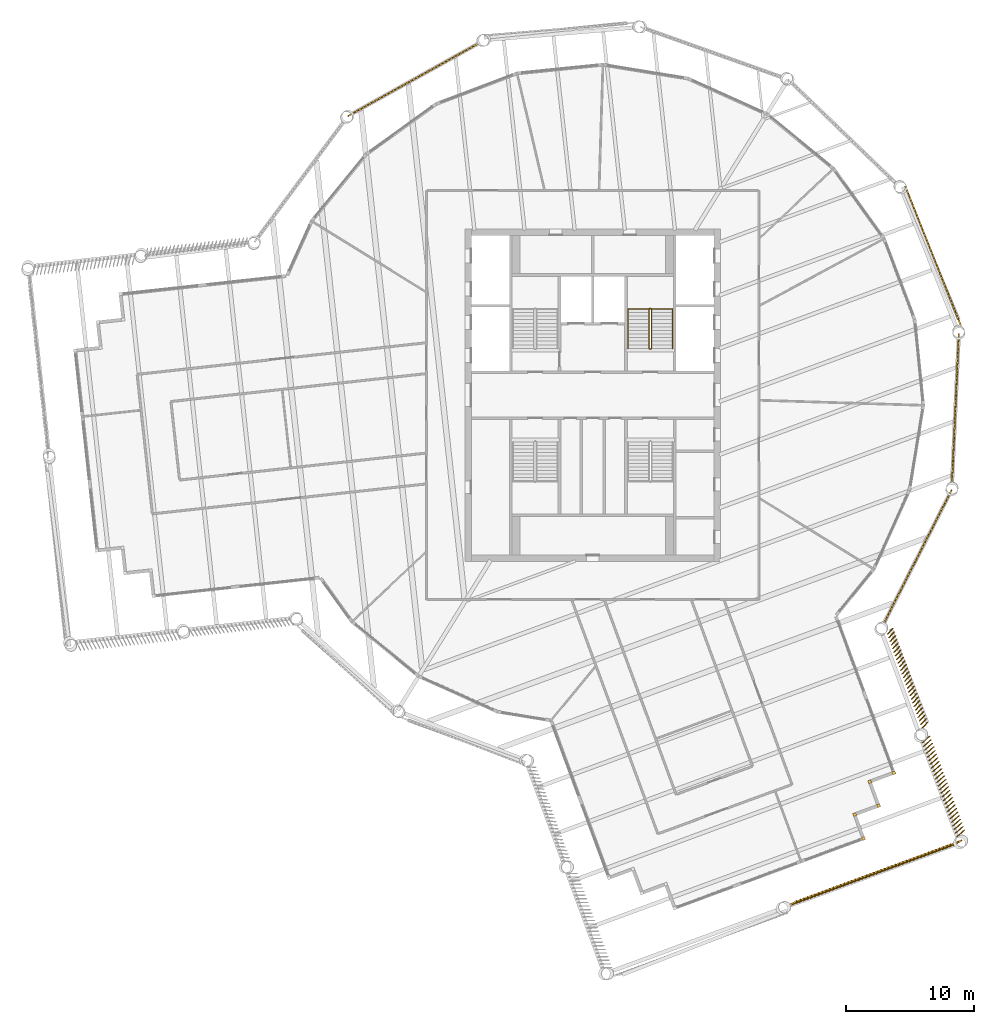
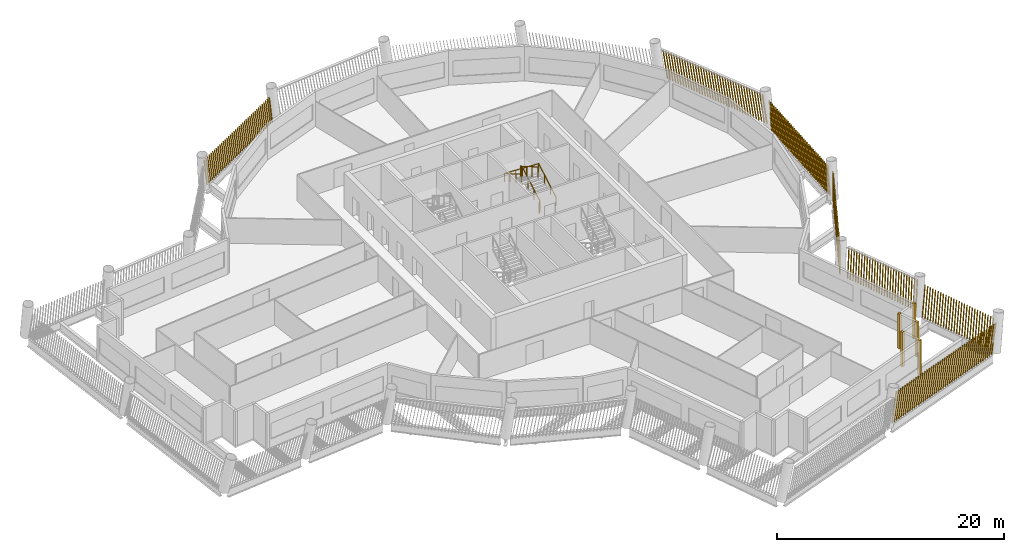
# One storey, part 12 of 14: 12 shading devices, 2 railings.
"""IFC4 building model written with IfcOpenShell, lengths in metres."""

import ifcopenshell
import ifcopenshell.guid

model = None  # the IFC model being written
_history = None  # IfcOwnerHistory: only IFC2X3 demands one
_inside = {}  # id of a spatial element -> (the spatial element, [elements in it])
_under = {}  # id of a project, library or spatial element -> (it, [spatial elements below it])
_declared = {}  # id of a project -> (the project, [libraries it declares])
_typed = {}  # id of a type object -> (the type object, [elements of that type])
_made_of = {}  # id of a material, layer set ... -> (it, [elements and type objects made of it])


def new_model(schema):
    """Start an empty IFC model of exactly this schema.

    Asked for "IFC4X3", IfcOpenShell would pick the latest addendum, in which some entities
    have other attributes; the version numbers below select the first issue.
    IFC2X3 requires an IfcOwnerHistory on every rooted entity: one is made here for all.
    """
    global model, _history
    if schema == "IFC4X3":
        model = ifcopenshell.file(schema_version=(4, 3, 0, 0))
    else:
        model = ifcopenshell.file(schema=schema)
    _inside.clear()
    _under.clear()
    _declared.clear()
    _typed.clear()
    _made_of.clear()
    _history = None
    if model.schema == "IFC2X3":
        org = make("IfcOrganization", Name="unknown")
        user = make(
            "IfcPersonAndOrganization",
            ThePerson=make("IfcPerson", FamilyName="unknown"),
            TheOrganization=org,
        )
        app = make(
            "IfcApplication",
            ApplicationDeveloper=org,
            Version="unknown",
            ApplicationFullName="unknown",
            ApplicationIdentifier="unknown",
        )
        _history = make(
            "IfcOwnerHistory",
            OwningUser=user,
            OwningApplication=app,
            ChangeAction="ADDED",
            CreationDate=0,
        )
    return model


def make(cls, **values):
    """One entity of the class cls with the attributes given. An attribute that is None is left unset."""
    return model.create_entity(
        cls, **{name: value for name, value in values.items() if value is not None}
    )


def rooted(cls, **values):
    """An entity with a GlobalId (a new one), such as an element, a storey or a relation."""
    return make(cls, GlobalId=ifcopenshell.guid.new(), OwnerHistory=_history, **values)


def si_unit(unit_type, name, prefix=None):
    """IfcSIUnit, for example si_unit("LENGTHUNIT", "METRE", prefix="MILLI")."""
    return make("IfcSIUnit", UnitType=unit_type, Prefix=prefix, Name=name)


def assignment(units):
    """IfcUnitAssignment: the units of a project."""
    return None if units is None else make("IfcUnitAssignment", Units=units)


def point(xyz):
    """IfcCartesianPoint."""
    return None if xyz is None else make("IfcCartesianPoint", Coordinates=xyz)


def direction(xyz):
    """IfcDirection."""
    return None if xyz is None else make("IfcDirection", DirectionRatios=xyz)


def frame(location, z_axis=None, x_axis=None):
    """IfcAxis2Placement3D, a coordinate frame: its origin and axes. An axis left out is left unset."""
    return make(
        "IfcAxis2Placement3D",
        Location=point(location),
        Axis=direction(z_axis),
        RefDirection=direction(x_axis),
    )


def frame_2d(location, x_axis=None):
    """IfcAxis2Placement2D, a coordinate frame in the plane: its origin and x axis."""
    return make(
        "IfcAxis2Placement2D", Location=point(location), RefDirection=direction(x_axis)
    )


def origin():
    """The frame at (0, 0, 0) with its axes left unset."""
    return frame((0.0, 0.0, 0.0))


def origin_2d():
    """The frame at (0, 0) in the plane with its x axis left unset."""
    return frame_2d((0.0, 0.0))


def place(relative_to, where):
    """IfcLocalPlacement: puts the frame where relative to a parent placement (None: the world)."""
    return make(
        "IfcLocalPlacement", PlacementRelTo=relative_to, RelativePlacement=where
    )


def context(
    kind, dimensions, precision=None, world=None, true_north=None, identifier=None
):
    """IfcGeometricRepresentationContext, for example the 3D "Model" context."""
    return make(
        "IfcGeometricRepresentationContext",
        ContextIdentifier=identifier,
        ContextType=kind,
        CoordinateSpaceDimension=dimensions,
        Precision=precision,
        WorldCoordinateSystem=world,
        TrueNorth=true_north,
    )


def subcontext(parent, identifier, kind, view, scale=None):
    """IfcGeometricRepresentationSubContext, for example "Body" below "Model"."""
    return make(
        "IfcGeometricRepresentationSubContext",
        ContextIdentifier=identifier,
        ContextType=kind,
        ParentContext=parent,
        TargetScale=scale,
        TargetView=view,
    )


def project(units=None, contexts=None):
    """IfcProject with its units and contexts."""
    return rooted(
        "IfcProject",
        Name="project",
        RepresentationContexts=contexts,
        UnitsInContext=assignment(units),
    )


def spatial(cls, under=None, at=None, **own):
    """A site, building, storey or space (cls), placed at a placement, below another one or the project."""
    s = rooted(cls, ObjectPlacement=at, **own)
    if under is not None:
        _under.setdefault(under.id(), (under, []))[1].append(s)
    return s


def profile(cls, at=None, kind="AREA", **sizes):
    """A parametric profile (cls). Its sizes go by their IFC names, for example OverallWidth=200.0."""
    return make(cls, ProfileType=kind, Position=at, **sizes)


def rectangle(**sizes):
    """IfcRectangleProfileDef."""
    return profile("IfcRectangleProfileDef", **sizes)


def circle(**sizes):
    """IfcCircleProfileDef."""
    return profile("IfcCircleProfileDef", **sizes)


def composite_profile(profiles, kind="AREA"):
    """IfcCompositeProfileDef: several profiles as one."""
    return make("IfcCompositeProfileDef", ProfileType=kind, Profiles=profiles)


def extrude(swept, where, along, depth):
    """IfcExtrudedAreaSolid: the profile swept, set in the frame where, extruded along a direction by depth."""
    return make(
        "IfcExtrudedAreaSolid",
        SweptArea=swept,
        Position=where,
        ExtrudedDirection=direction(along),
        Depth=depth,
    )


def shape(context_of_items, identifier, shape_type, items):
    """IfcShapeRepresentation: the items that make up one representation, for example the "Body"."""
    return make(
        "IfcShapeRepresentation",
        ContextOfItems=context_of_items,
        RepresentationIdentifier=identifier,
        RepresentationType=shape_type,
        Items=items,
    )


def material(Name=None, Category=None):
    """IfcMaterial."""
    return make("IfcMaterial", Name=Name, Category=Category)


def made_of(thing, what):
    """Note that an element or type object is made of a material, layer set ...; save() writes the relation."""
    if what is not None:
        _made_of.setdefault(what.id(), (what, []))[1].append(thing)
    return thing


def type_object(cls, material=None, **own):
    """A type object (cls), such as IfcWallType, which elements share."""
    return made_of(rooted(cls, **own), material)


def element(
    cls,
    number,
    at=None,
    inside=None,
    cuts=None,
    type_object=None,
    material=None,
    context=None,
    identifier="Body",
    shape_type=None,
    held_by="IfcProductDefinitionShape",
    body=None,
    shapes=None,
    **own,
):
    """One element of the class cls, such as IfcWall. Its Tag is "e" and its number.

    at: its placement. inside: the storey or other place that contains it. cuts: it is an
    opening in that element (IfcRelVoidsElement). A single representation is given by context,
    identifier, shape_type and body (its items); several are given by shapes. held_by: the class
    of the entity that holds the representations. save() writes the other relations.
    """
    e = rooted(cls, Tag="e%d" % number, ObjectPlacement=at, **own)
    if body is not None:
        shapes = [shape(context, identifier, shape_type, body)]
    if shapes is not None:
        e.Representation = make(held_by, Representations=shapes)
    if inside is not None:
        _inside.setdefault(inside.id(), (inside, []))[1].append(e)
    if cuts is not None:
        rooted(
            "IfcRelVoidsElement", RelatingBuildingElement=cuts, RelatedOpeningElement=e
        )
    if type_object is not None:
        _typed.setdefault(type_object.id(), (type_object, []))[1].append(e)
    return made_of(e, material)


def aggregate(whole, parts):
    """IfcRelAggregates: a whole, such as a stair, and the parts it consists of."""
    return rooted("IfcRelAggregates", RelatingObject=whole, RelatedObjects=parts)


def save(model, path):
    """Write the relations noted so far, then the file.

    IfcRelAggregates (storeys below a building ...), IfcRelContainedInSpatialStructure (elements
    in a storey), IfcRelDefinesByType, IfcRelAssociatesMaterial and IfcRelDeclares: one each for
    every whole, place, type object, material and project.
    """
    for whole, parts in _under.values():
        aggregate(whole, parts)
    for where, things in _inside.values():
        rooted(
            "IfcRelContainedInSpatialStructure",
            RelatedElements=things,
            RelatingStructure=where,
        )
    for kind, things in _typed.values():
        rooted("IfcRelDefinesByType", RelatedObjects=things, RelatingType=kind)
    for what, things in _made_of.values():
        rooted("IfcRelAssociatesMaterial", RelatedObjects=things, RelatingMaterial=what)
    for by, libraries in _declared.values():
        rooted("IfcRelDeclares", RelatingContext=by, RelatedDefinitions=libraries)
    model.write(path)


model = new_model("IFC4")

# Units and contexts
model_context = context("Model", 3, precision=1e-05, world=origin(), true_north=direction((0.0, 1.0)))
body_context = subcontext(model_context, "Body", "Model", "MODEL_VIEW")
ifc_project = project(units=[si_unit("LENGTHUNIT", "METRE"), si_unit("AREAUNIT", "SQUARE_METRE"), si_unit("VOLUMEUNIT", "CUBIC_METRE"), si_unit("PLANEANGLEUNIT", "RADIAN"), si_unit("MASSUNIT", "GRAM", prefix="KILO")], contexts=[model_context])

# Site, building, storey
site_placement = place(None, origin())
site = spatial("IfcSite", under=ifc_project, at=site_placement, CompositionType="ELEMENT")
building_placement = place(site_placement, origin())
building = spatial("IfcBuilding", under=site, at=building_placement, Name="Tarsis Ring Headquarters", CompositionType="ELEMENT")
storey_placement = place(building_placement, frame((0.0, 0.0, 311.89990234375)))
storey = spatial("IfcBuildingStorey", under=building, at=storey_placement, Name="L73", CompositionType="ELEMENT", Elevation=311.89990234375)

# Railings
ifc_material_1 = material(Name="Steel S355", Category="steel")
railing_type_1 = type_object("IfcRailingType", Name="Core stair guard 1100", PredefinedType="GUARDRAIL", material=ifc_material_1)
railing_1_placement = place(storey_placement, frame((4.4599609375, 3.610107421875, 0.0)))
element("IfcRailing", 1, at=railing_1_placement, inside=storey, type_object=railing_type_1, Name="L73 ST2 stair guard 1", PredefinedType="GUARDRAIL", context=body_context, shape_type="SweptSolid", body=[
    extrude(circle(Radius=0.02392578125, at=origin_2d()), frame((0.0, 0.0, 1.076171875), z_axis=(1.0, 0.0, 0.0), x_axis=(0.0, 1.0, 0.0)), (0.0, 0.0, 1.0), 0.080078125),
    extrude(circle(Radius=0.02392578125, at=origin_2d()), frame((0.080078125, 0.0, 1.076171875), z_axis=(0.282336740067, 0.280959487676, 0.917250092119), x_axis=(-0.705375805398, 0.708833529934, 0.0)), (0.0, 0.0, 1.0), 0.17724609375),
    extrude(circle(Radius=0.02392578125, at=origin_2d()), frame((0.130126953125, 0.0498046875, 1.23876953125), z_axis=(0.0, 0.864890721111, 0.501960198159), x_axis=(-1.0, 0.0, 0.0)), (0.0, 0.0, 1.0), 3.561279296875),
    extrude(circle(Radius=0.02392578125, at=origin_2d()), frame((0.130126953125, 3.1298828125, 3.0263671875), z_axis=(-0.707106781187, 0.707106781187, 0.0), x_axis=(-0.707106781187, -0.707106781187, 0.0)), (0.0, 0.0, 1.0), 0.07080078125),
    extrude(circle(Radius=0.02392578125, at=origin_2d()), frame((0.080078125, 3.179931640625, 3.0263671875), z_axis=(-1.0, 0.0, 0.0), x_axis=(0.0, -1.0, 0.0)), (0.0, 0.0, 1.0), 0.080078125),
    extrude(circle(Radius=0.02392578125, at=origin_2d()), frame((0.0, 3.179931640625, 3.0263671875), z_axis=(-0.282583949758, -0.282583949758, 0.916674763849), x_axis=(0.707106781187, -0.707106781187, 0.0)), (0.0, 0.0, 1.0), 0.177001953125),
    extrude(circle(Radius=0.02392578125, at=origin_2d()), frame((-0.050048828125, 3.1298828125, 3.1884765625), z_axis=(0.0, -0.864890721111, 0.501960198159), x_axis=(1.0, 0.0, 0.0)), (0.0, 0.0, 1.0), 3.561279296875),
    extrude(circle(Radius=0.02099609375, at=origin_2d()), origin(), (0.0, 0.0, 1.0), 1.052001953125),
    extrude(circle(Radius=0.02099609375, at=origin_2d()), frame((0.080078125, 0.0, 0.0)), (0.0, 0.0, 1.0), 1.052001953125),
    extrude(circle(Radius=0.02099609375, at=origin_2d()), frame((0.130126953125, 0.0498046875, 0.16259765625)), (0.0, 0.0, 1.0), 1.052001953125),
    extrude(circle(Radius=0.02099609375, at=origin_2d()), frame((0.130126953125, 1.076416015625, 0.758544921875)), (0.0, 0.0, 1.0), 1.052001953125),
    extrude(circle(Radius=0.02099609375, at=origin_2d()), frame((0.130126953125, 2.103271484375, 1.354248046875)), (0.0, 0.0, 1.0), 1.052001953125),
    extrude(circle(Radius=0.02099609375, at=origin_2d()), frame((0.130126953125, 3.1298828125, 1.9501953125)), (0.0, 0.0, 1.0), 1.052001953125),
    extrude(circle(Radius=0.02099609375, at=origin_2d()), frame((0.080078125, 3.179931640625, 1.9501953125)), (0.0, 0.0, 1.0), 1.052001953125),
    extrude(circle(Radius=0.02099609375, at=origin_2d()), frame((0.0, 3.179931640625, 1.9501953125)), (0.0, 0.0, 1.0), 1.052001953125),
    extrude(circle(Radius=0.02099609375, at=origin_2d()), frame((-0.050048828125, 3.1298828125, 2.112548828125)), (0.0, 0.0, 1.0), 1.052001953125),
    extrude(circle(Radius=0.02099609375, at=origin_2d()), frame((-0.050048828125, 2.103271484375, 2.70849609375)), (0.0, 0.0, 1.0), 1.052001953125),
    extrude(circle(Radius=0.02099609375, at=origin_2d()), frame((-0.050048828125, 1.076416015625, 3.30419921875)), (0.0, 0.0, 1.0), 1.052001953125),
    extrude(circle(Radius=0.02099609375, at=origin_2d()), frame((-0.050048828125, 0.0498046875, 3.900146484375)), (0.0, 0.0, 1.0), 1.052001953125),
])
railing_type_2 = type_object("IfcRailingType", Name="Core stair handrail 900", PredefinedType="HANDRAIL", material=ifc_material_1)
railing_2_placement = place(storey_placement, frame((6.25, 3.659912109375, 0.16259765625)))
element("IfcRailing", 2, at=railing_2_placement, inside=storey, type_object=railing_type_2, Name="L73 ST2 stair handrail 1", PredefinedType="HANDRAIL", context=body_context, shape_type="SweptSolid", body=[
    extrude(circle(Radius=0.02392578125, at=origin_2d()), frame((0.0, 0.0, 0.8759765625), z_axis=(0.0, 0.864890721111, 0.501960198159), x_axis=(-1.0, 0.0, 0.0)), (0.0, 0.0, 1.0), 3.561279296875),
    extrude(circle(Radius=0.02392578125, at=origin_2d()), frame((0.0, 3.080078125, 2.66357421875), z_axis=(-0.998925869279, 0.0, 0.04633689335), x_axis=(0.0, -1.0, 0.0)), (0.0, 0.0, 1.0), 3.503662109375),
    extrude(circle(Radius=0.02392578125, at=origin_2d()), frame((-3.5, 3.080078125, 2.82568359375), z_axis=(0.0, -0.864890721111, 0.501960198159), x_axis=(1.0, 0.0, 0.0)), (0.0, 0.0, 1.0), 3.561279296875),
    extrude(circle(Radius=0.02099609375, at=origin_2d()), origin(), (0.0, 0.0, 1.0), 0.851806640625),
    extrude(circle(Radius=0.02099609375, at=origin_2d()), frame((0.0, 1.026611328125, 0.595947265625)), (0.0, 0.0, 1.0), 0.851806640625),
    extrude(circle(Radius=0.02099609375, at=origin_2d()), frame((0.0, 2.053466796875, 1.191650390625)), (0.0, 0.0, 1.0), 0.851806640625),
    extrude(circle(Radius=0.02099609375, at=origin_2d()), frame((0.0, 3.080078125, 1.78759765625)), (0.0, 0.0, 1.0), 0.851806640625),
    extrude(circle(Radius=0.02099609375, at=origin_2d()), frame((-1.166748046875, 3.080078125, 1.841796875)), (0.0, 0.0, 1.0), 0.851806640625),
    extrude(circle(Radius=0.02099609375, at=origin_2d()), frame((-2.333251953125, 3.080078125, 1.895751953125)), (0.0, 0.0, 1.0), 0.851806640625),
    extrude(circle(Radius=0.02099609375, at=origin_2d()), frame((-3.5, 3.080078125, 1.949951171875)), (0.0, 0.0, 1.0), 0.851806640625),
    extrude(circle(Radius=0.02099609375, at=origin_2d()), frame((-3.5, 2.053466796875, 2.5458984375)), (0.0, 0.0, 1.0), 0.851806640625),
    extrude(circle(Radius=0.02099609375, at=origin_2d()), frame((-3.5, 1.026611328125, 3.1416015625)), (0.0, 0.0, 1.0), 0.851806640625),
    extrude(circle(Radius=0.02099609375, at=origin_2d()), frame((-3.5, 0.0, 3.737548828125)), (0.0, 0.0, 1.0), 0.851806640625),
])

# Shading devices
ifc_material_2 = material(Name="Terracotta baguette", Category="masonry")
shading_device_type_1 = type_object("IfcShadingDeviceType", Name="Terracotta baguette screen", PredefinedType="USERDEFINED", material=ifc_material_2)
shading_device_1_placement = place(storey_placement, frame((15.27587890625, -39.984130859375, 0.0), z_axis=(0.0, 0.0, 1.0), x_axis=(0.938257408226, 0.345953118089, 0.0)))
element("IfcShadingDevice", 3, at=shading_device_1_placement, inside=storey, type_object=shading_device_type_1, Name="Baguette screen L73-04", ObjectType="Terracotta baguette screen", PredefinedType="USERDEFINED", context=body_context, shape_type="SweptSolid", body=[
    extrude(composite_profile([rectangle(XDim=0.06005859375, YDim=0.1201171875, at=frame_2d((0.030029296875, 0.0))), rectangle(XDim=0.06005859375, YDim=0.1201171875, at=frame_2d((0.33544921875, 0.0))), rectangle(XDim=0.06005859375, YDim=0.1201171875, at=frame_2d((0.640625, 0.0))), rectangle(XDim=0.06005859375, YDim=0.1201171875, at=frame_2d((0.946044921875, 0.0))), rectangle(XDim=0.06005859375, YDim=0.1201171875, at=frame_2d((1.25146484375, 0.0))), rectangle(XDim=0.06005859375, YDim=0.1201171875, at=frame_2d((1.556640625, 0.0))), rectangle(XDim=0.06005859375, YDim=0.1201171875, at=frame_2d((1.862060546875, 0.0))), rectangle(XDim=0.06005859375, YDim=0.1201171875, at=frame_2d((2.16748046875, 0.0))), rectangle(XDim=0.06005859375, YDim=0.1201171875, at=frame_2d((2.47265625, 0.0))), rectangle(XDim=0.06005859375, YDim=0.1201171875, at=frame_2d((2.778076171875, 0.0))), rectangle(XDim=0.06005859375, YDim=0.1201171875, at=frame_2d((3.08349609375, 0.0))), rectangle(XDim=0.06005859375, YDim=0.1201171875, at=frame_2d((3.388671875, 0.0))), rectangle(XDim=0.06005859375, YDim=0.1201171875, at=frame_2d((3.694091796875, 0.0))), rectangle(XDim=0.06005859375, YDim=0.1201171875, at=frame_2d((3.99951171875, 0.0))), rectangle(XDim=0.06005859375, YDim=0.1201171875, at=frame_2d((4.3046875, 0.0))), rectangle(XDim=0.06005859375, YDim=0.1201171875, at=frame_2d((4.610107421875, 0.0))), rectangle(XDim=0.06005859375, YDim=0.1201171875, at=frame_2d((4.91552734375, 0.0))), rectangle(XDim=0.06005859375, YDim=0.1201171875, at=frame_2d((5.220703125, 0.0))), rectangle(XDim=0.06005859375, YDim=0.1201171875, at=frame_2d((5.526123046875, 0.0))), rectangle(XDim=0.06005859375, YDim=0.1201171875, at=frame_2d((5.83154296875, 0.0))), rectangle(XDim=0.06005859375, YDim=0.1201171875, at=frame_2d((6.13671875, 0.0))), rectangle(XDim=0.06005859375, YDim=0.1201171875, at=frame_2d((6.442138671875, 0.0))), rectangle(XDim=0.06005859375, YDim=0.1201171875, at=frame_2d((6.74755859375, 0.0))), rectangle(XDim=0.06005859375, YDim=0.1201171875, at=frame_2d((7.052734375, 0.0))), rectangle(XDim=0.06005859375, YDim=0.1201171875, at=frame_2d((7.358154296875, 0.0))), rectangle(XDim=0.06005859375, YDim=0.1201171875, at=frame_2d((7.66357421875, 0.0))), rectangle(XDim=0.06005859375, YDim=0.1201171875, at=frame_2d((7.96875, 0.0))), rectangle(XDim=0.06005859375, YDim=0.1201171875, at=frame_2d((8.274169921875, 0.0))), rectangle(XDim=0.06005859375, YDim=0.1201171875, at=frame_2d((8.57958984375, 0.0))), rectangle(XDim=0.06005859375, YDim=0.1201171875, at=frame_2d((8.884765625, 0.0))), rectangle(XDim=0.06005859375, YDim=0.1201171875, at=frame_2d((9.190185546875, 0.0))), rectangle(XDim=0.06005859375, YDim=0.1201171875, at=frame_2d((9.49560546875, 0.0))), rectangle(XDim=0.06005859375, YDim=0.1201171875, at=frame_2d((9.80078125, 0.0))), rectangle(XDim=0.06005859375, YDim=0.1201171875, at=frame_2d((10.106201171875, 0.0))), rectangle(XDim=0.06005859375, YDim=0.1201171875, at=frame_2d((10.41162109375, 0.0))), rectangle(XDim=0.06005859375, YDim=0.1201171875, at=frame_2d((10.716796875, 0.0))), rectangle(XDim=0.06005859375, YDim=0.1201171875, at=frame_2d((11.022216796875, 0.0))), rectangle(XDim=0.06005859375, YDim=0.1201171875, at=frame_2d((11.32763671875, 0.0))), rectangle(XDim=0.06005859375, YDim=0.1201171875, at=frame_2d((11.6328125, 0.0))), rectangle(XDim=0.06005859375, YDim=0.1201171875, at=frame_2d((11.938232421875, 0.0))), rectangle(XDim=0.06005859375, YDim=0.1201171875, at=frame_2d((12.24365234375, 0.0))), rectangle(XDim=0.06005859375, YDim=0.1201171875, at=frame_2d((12.548828125, 0.0))), rectangle(XDim=0.06005859375, YDim=0.1201171875, at=frame_2d((12.854248046875, 0.0))), rectangle(XDim=0.06005859375, YDim=0.1201171875, at=frame_2d((13.15966796875, 0.0))), rectangle(XDim=0.06005859375, YDim=0.1201171875, at=frame_2d((13.46484375, 0.0))), rectangle(XDim=0.06005859375, YDim=0.1201171875, at=frame_2d((13.770263671875, 0.0)))]), origin(), (0.252568246034, 0.046033470587, 0.966483419765), 3.071044921875),
])
shading_device_2_placement = place(storey_placement, frame((28.52001953125, -34.56787109375, 0.0), z_axis=(0.0, 0.0, 1.0), x_axis=(-0.345958971824, 0.93824147306, 0.0)))
element("IfcShadingDevice", 4, at=shading_device_2_placement, inside=storey, type_object=shading_device_type_1, Name="Baguette screen L73-05", ObjectType="Terracotta baguette screen", PredefinedType="USERDEFINED", context=body_context, shape_type="SweptSolid", body=[
    extrude(composite_profile([rectangle(XDim=0.06005859375, YDim=0.1201171875, at=frame_2d((0.030029296875, 0.0))), rectangle(XDim=0.06005859375, YDim=0.1201171875, at=frame_2d((0.33154296875, 0.0))), rectangle(XDim=0.06005859375, YDim=0.1201171875, at=frame_2d((0.63330078125, 0.0))), rectangle(XDim=0.06005859375, YDim=0.1201171875, at=frame_2d((0.934814453125, 0.0))), rectangle(XDim=0.06005859375, YDim=0.1201171875, at=frame_2d((1.236572265625, 0.0))), rectangle(XDim=0.06005859375, YDim=0.1201171875, at=frame_2d((1.5380859375, 0.0))), rectangle(XDim=0.06005859375, YDim=0.1201171875, at=frame_2d((1.83984375, 0.0))), rectangle(XDim=0.06005859375, YDim=0.1201171875, at=frame_2d((2.141357421875, 0.0))), rectangle(XDim=0.06005859375, YDim=0.1201171875, at=frame_2d((2.443115234375, 0.0))), rectangle(XDim=0.06005859375, YDim=0.1201171875, at=frame_2d((2.74462890625, 0.0))), rectangle(XDim=0.06005859375, YDim=0.1201171875, at=frame_2d((3.04638671875, 0.0))), rectangle(XDim=0.06005859375, YDim=0.1201171875, at=frame_2d((3.347900390625, 0.0))), rectangle(XDim=0.06005859375, YDim=0.1201171875, at=frame_2d((3.649658203125, 0.0))), rectangle(XDim=0.06005859375, YDim=0.1201171875, at=frame_2d((3.951171875, 0.0))), rectangle(XDim=0.06005859375, YDim=0.1201171875, at=frame_2d((4.252685546875, 0.0))), rectangle(XDim=0.06005859375, YDim=0.1201171875, at=frame_2d((4.554443359375, 0.0))), rectangle(XDim=0.06005859375, YDim=0.1201171875, at=frame_2d((4.85595703125, 0.0))), rectangle(XDim=0.06005859375, YDim=0.1201171875, at=frame_2d((5.15771484375, 0.0))), rectangle(XDim=0.06005859375, YDim=0.1201171875, at=frame_2d((5.459228515625, 0.0))), rectangle(XDim=0.06005859375, YDim=0.1201171875, at=frame_2d((5.760986328125, 0.0))), rectangle(XDim=0.06005859375, YDim=0.1201171875, at=frame_2d((6.0625, 0.0))), rectangle(XDim=0.06005859375, YDim=0.1201171875, at=frame_2d((6.3642578125, 0.0))), rectangle(XDim=0.06005859375, YDim=0.1201171875, at=frame_2d((6.665771484375, 0.0))), rectangle(XDim=0.06005859375, YDim=0.1201171875, at=frame_2d((6.967529296875, 0.0))), rectangle(XDim=0.06005859375, YDim=0.1201171875, at=frame_2d((7.26904296875, 0.0))), rectangle(XDim=0.06005859375, YDim=0.1201171875, at=frame_2d((7.57080078125, 0.0))), rectangle(XDim=0.06005859375, YDim=0.1201171875, at=frame_2d((7.872314453125, 0.0)))]), origin(), (0.089837460544, -0.226642521341, 0.969825962843), 3.060302734375),
])
shading_device_3_placement = place(storey_placement, frame((25.7919921875, -26.085693359375, 0.0), z_axis=(0.0, 0.0, 1.0), x_axis=(-0.345938764791, 0.938270460654, 0.0)))
element("IfcShadingDevice", 5, at=shading_device_3_placement, inside=storey, type_object=shading_device_type_1, Name="Baguette screen L73-06", ObjectType="Terracotta baguette screen", PredefinedType="USERDEFINED", context=body_context, shape_type="SweptSolid", body=[
    extrude(composite_profile([rectangle(XDim=0.06005859375, YDim=0.1201171875, at=frame_2d((0.030029296875, 0.0))), rectangle(XDim=0.06005859375, YDim=0.1201171875, at=frame_2d((0.33154296875, 0.0))), rectangle(XDim=0.06005859375, YDim=0.1201171875, at=frame_2d((0.63330078125, 0.0))), rectangle(XDim=0.06005859375, YDim=0.1201171875, at=frame_2d((0.934814453125, 0.0))), rectangle(XDim=0.06005859375, YDim=0.1201171875, at=frame_2d((1.236572265625, 0.0))), rectangle(XDim=0.06005859375, YDim=0.1201171875, at=frame_2d((1.5380859375, 0.0))), rectangle(XDim=0.06005859375, YDim=0.1201171875, at=frame_2d((1.83984375, 0.0))), rectangle(XDim=0.06005859375, YDim=0.1201171875, at=frame_2d((2.141357421875, 0.0))), rectangle(XDim=0.06005859375, YDim=0.1201171875, at=frame_2d((2.443115234375, 0.0))), rectangle(XDim=0.06005859375, YDim=0.1201171875, at=frame_2d((2.74462890625, 0.0))), rectangle(XDim=0.06005859375, YDim=0.1201171875, at=frame_2d((3.04638671875, 0.0))), rectangle(XDim=0.06005859375, YDim=0.1201171875, at=frame_2d((3.347900390625, 0.0))), rectangle(XDim=0.06005859375, YDim=0.1201171875, at=frame_2d((3.649658203125, 0.0))), rectangle(XDim=0.06005859375, YDim=0.1201171875, at=frame_2d((3.951171875, 0.0))), rectangle(XDim=0.06005859375, YDim=0.1201171875, at=frame_2d((4.252685546875, 0.0))), rectangle(XDim=0.06005859375, YDim=0.1201171875, at=frame_2d((4.554443359375, 0.0))), rectangle(XDim=0.06005859375, YDim=0.1201171875, at=frame_2d((4.85595703125, 0.0))), rectangle(XDim=0.06005859375, YDim=0.1201171875, at=frame_2d((5.15771484375, 0.0))), rectangle(XDim=0.06005859375, YDim=0.1201171875, at=frame_2d((5.459228515625, 0.0))), rectangle(XDim=0.06005859375, YDim=0.1201171875, at=frame_2d((5.760986328125, 0.0))), rectangle(XDim=0.06005859375, YDim=0.1201171875, at=frame_2d((6.0625, 0.0))), rectangle(XDim=0.06005859375, YDim=0.1201171875, at=frame_2d((6.3642578125, 0.0))), rectangle(XDim=0.06005859375, YDim=0.1201171875, at=frame_2d((6.665771484375, 0.0))), rectangle(XDim=0.06005859375, YDim=0.1201171875, at=frame_2d((6.967529296875, 0.0))), rectangle(XDim=0.06005859375, YDim=0.1201171875, at=frame_2d((7.26904296875, 0.0))), rectangle(XDim=0.06005859375, YDim=0.1201171875, at=frame_2d((7.57080078125, 0.0))), rectangle(XDim=0.06005859375, YDim=0.1201171875, at=frame_2d((7.872314453125, 0.0)))]), origin(), (0.092559000156, -0.175665458792, 0.980089015385), 3.0283203125),
])
shading_device_4_placement = place(storey_placement, frame((22.760009765625, -17.88623046875, 0.0), z_axis=(0.0, 0.0, 1.0), x_axis=(0.453347802496, 0.891329354314, 0.0)))
element("IfcShadingDevice", 6, at=shading_device_4_placement, inside=storey, type_object=shading_device_type_1, Name="Baguette screen L73-07", ObjectType="Terracotta baguette screen", PredefinedType="USERDEFINED", context=body_context, shape_type="SweptSolid", body=[
    extrude(composite_profile([rectangle(XDim=0.06005859375, YDim=0.1201171875, at=frame_2d((0.030029296875, 0.0))), rectangle(XDim=0.06005859375, YDim=0.1201171875, at=frame_2d((0.33251953125, 0.0))), rectangle(XDim=0.06005859375, YDim=0.1201171875, at=frame_2d((0.634765625, 0.0))), rectangle(XDim=0.06005859375, YDim=0.1201171875, at=frame_2d((0.937255859375, 0.0))), rectangle(XDim=0.06005859375, YDim=0.1201171875, at=frame_2d((1.239501953125, 0.0))), rectangle(XDim=0.06005859375, YDim=0.1201171875, at=frame_2d((1.5419921875, 0.0))), rectangle(XDim=0.06005859375, YDim=0.1201171875, at=frame_2d((1.844482421875, 0.0))), rectangle(XDim=0.06005859375, YDim=0.1201171875, at=frame_2d((2.146728515625, 0.0))), rectangle(XDim=0.06005859375, YDim=0.1201171875, at=frame_2d((2.44921875, 0.0))), rectangle(XDim=0.06005859375, YDim=0.1201171875, at=frame_2d((2.751708984375, 0.0))), rectangle(XDim=0.06005859375, YDim=0.1201171875, at=frame_2d((3.053955078125, 0.0))), rectangle(XDim=0.06005859375, YDim=0.1201171875, at=frame_2d((3.3564453125, 0.0))), rectangle(XDim=0.06005859375, YDim=0.1201171875, at=frame_2d((3.65869140625, 0.0))), rectangle(XDim=0.06005859375, YDim=0.1201171875, at=frame_2d((3.961181640625, 0.0))), rectangle(XDim=0.06005859375, YDim=0.1201171875, at=frame_2d((4.263671875, 0.0))), rectangle(XDim=0.06005859375, YDim=0.1201171875, at=frame_2d((4.56591796875, 0.0))), rectangle(XDim=0.06005859375, YDim=0.1201171875, at=frame_2d((4.868408203125, 0.0))), rectangle(XDim=0.06005859375, YDim=0.1201171875, at=frame_2d((5.1708984375, 0.0))), rectangle(XDim=0.06005859375, YDim=0.1201171875, at=frame_2d((5.47314453125, 0.0))), rectangle(XDim=0.06005859375, YDim=0.1201171875, at=frame_2d((5.775634765625, 0.0))), rectangle(XDim=0.06005859375, YDim=0.1201171875, at=frame_2d((6.077880859375, 0.0))), rectangle(XDim=0.06005859375, YDim=0.1201171875, at=frame_2d((6.38037109375, 0.0))), rectangle(XDim=0.06005859375, YDim=0.1201171875, at=frame_2d((6.682861328125, 0.0))), rectangle(XDim=0.06005859375, YDim=0.1201171875, at=frame_2d((6.985107421875, 0.0))), rectangle(XDim=0.06005859375, YDim=0.1201171875, at=frame_2d((7.28759765625, 0.0))), rectangle(XDim=0.06005859375, YDim=0.1201171875, at=frame_2d((7.590087890625, 0.0))), rectangle(XDim=0.06005859375, YDim=0.1201171875, at=frame_2d((7.892333984375, 0.0))), rectangle(XDim=0.06005859375, YDim=0.1201171875, at=frame_2d((8.19482421875, 0.0))), rectangle(XDim=0.06005859375, YDim=0.1201171875, at=frame_2d((8.4970703125, 0.0))), rectangle(XDim=0.06005859375, YDim=0.1201171875, at=frame_2d((8.799560546875, 0.0))), rectangle(XDim=0.06005859375, YDim=0.1201171875, at=frame_2d((9.10205078125, 0.0))), rectangle(XDim=0.06005859375, YDim=0.1201171875, at=frame_2d((9.404296875, 0.0))), rectangle(XDim=0.06005859375, YDim=0.1201171875, at=frame_2d((9.706787109375, 0.0))), rectangle(XDim=0.06005859375, YDim=0.1201171875, at=frame_2d((10.00927734375, 0.0))), rectangle(XDim=0.06005859375, YDim=0.1201171875, at=frame_2d((10.3115234375, 0.0))), rectangle(XDim=0.06005859375, YDim=0.1201171875, at=frame_2d((10.614013671875, 0.0))), rectangle(XDim=0.06005859375, YDim=0.1201171875, at=frame_2d((10.916259765625, 0.0))), rectangle(XDim=0.06005859375, YDim=0.1201171875, at=frame_2d((11.21875, 0.0)))]), origin(), (0.171087358199, 0.001553274416, 0.985254638763), 3.012451171875),
])
shading_device_5_placement = place(storey_placement, frame((28.109130859375, -6.914794921875, 0.0), z_axis=(0.0, 0.0, 1.0), x_axis=(0.045663686084, 0.998958242903, 0.0)))
element("IfcShadingDevice", 7, at=shading_device_5_placement, inside=storey, type_object=shading_device_type_1, Name="Baguette screen L73-08", ObjectType="Terracotta baguette screen", PredefinedType="USERDEFINED", context=body_context, shape_type="SweptSolid", body=[
    extrude(composite_profile([rectangle(XDim=0.06005859375, YDim=0.1201171875, at=frame_2d((0.030029296875, 0.0))), rectangle(XDim=0.06005859375, YDim=0.1201171875, at=frame_2d((0.33251953125, 0.0))), rectangle(XDim=0.06005859375, YDim=0.1201171875, at=frame_2d((0.634765625, 0.0))), rectangle(XDim=0.06005859375, YDim=0.1201171875, at=frame_2d((0.937255859375, 0.0))), rectangle(XDim=0.06005859375, YDim=0.1201171875, at=frame_2d((1.239501953125, 0.0))), rectangle(XDim=0.06005859375, YDim=0.1201171875, at=frame_2d((1.5419921875, 0.0))), rectangle(XDim=0.06005859375, YDim=0.1201171875, at=frame_2d((1.844482421875, 0.0))), rectangle(XDim=0.06005859375, YDim=0.1201171875, at=frame_2d((2.146728515625, 0.0))), rectangle(XDim=0.06005859375, YDim=0.1201171875, at=frame_2d((2.44921875, 0.0))), rectangle(XDim=0.06005859375, YDim=0.1201171875, at=frame_2d((2.751708984375, 0.0))), rectangle(XDim=0.06005859375, YDim=0.1201171875, at=frame_2d((3.053955078125, 0.0))), rectangle(XDim=0.06005859375, YDim=0.1201171875, at=frame_2d((3.3564453125, 0.0))), rectangle(XDim=0.06005859375, YDim=0.1201171875, at=frame_2d((3.65869140625, 0.0))), rectangle(XDim=0.06005859375, YDim=0.1201171875, at=frame_2d((3.961181640625, 0.0))), rectangle(XDim=0.06005859375, YDim=0.1201171875, at=frame_2d((4.263671875, 0.0))), rectangle(XDim=0.06005859375, YDim=0.1201171875, at=frame_2d((4.56591796875, 0.0))), rectangle(XDim=0.06005859375, YDim=0.1201171875, at=frame_2d((4.868408203125, 0.0))), rectangle(XDim=0.06005859375, YDim=0.1201171875, at=frame_2d((5.1708984375, 0.0))), rectangle(XDim=0.06005859375, YDim=0.1201171875, at=frame_2d((5.47314453125, 0.0))), rectangle(XDim=0.06005859375, YDim=0.1201171875, at=frame_2d((5.775634765625, 0.0))), rectangle(XDim=0.06005859375, YDim=0.1201171875, at=frame_2d((6.077880859375, 0.0))), rectangle(XDim=0.06005859375, YDim=0.1201171875, at=frame_2d((6.38037109375, 0.0))), rectangle(XDim=0.06005859375, YDim=0.1201171875, at=frame_2d((6.682861328125, 0.0))), rectangle(XDim=0.06005859375, YDim=0.1201171875, at=frame_2d((6.985107421875, 0.0))), rectangle(XDim=0.06005859375, YDim=0.1201171875, at=frame_2d((7.28759765625, 0.0))), rectangle(XDim=0.06005859375, YDim=0.1201171875, at=frame_2d((7.590087890625, 0.0))), rectangle(XDim=0.06005859375, YDim=0.1201171875, at=frame_2d((7.892333984375, 0.0))), rectangle(XDim=0.06005859375, YDim=0.1201171875, at=frame_2d((8.19482421875, 0.0))), rectangle(XDim=0.06005859375, YDim=0.1201171875, at=frame_2d((8.4970703125, 0.0))), rectangle(XDim=0.06005859375, YDim=0.1201171875, at=frame_2d((8.799560546875, 0.0))), rectangle(XDim=0.06005859375, YDim=0.1201171875, at=frame_2d((9.10205078125, 0.0))), rectangle(XDim=0.06005859375, YDim=0.1201171875, at=frame_2d((9.404296875, 0.0))), rectangle(XDim=0.06005859375, YDim=0.1201171875, at=frame_2d((9.706787109375, 0.0))), rectangle(XDim=0.06005859375, YDim=0.1201171875, at=frame_2d((10.00927734375, 0.0))), rectangle(XDim=0.06005859375, YDim=0.1201171875, at=frame_2d((10.3115234375, 0.0))), rectangle(XDim=0.06005859375, YDim=0.1201171875, at=frame_2d((10.614013671875, 0.0))), rectangle(XDim=0.06005859375, YDim=0.1201171875, at=frame_2d((10.916259765625, 0.0))), rectangle(XDim=0.06005859375, YDim=0.1201171875, at=frame_2d((11.21875, 0.0)))]), origin(), (0.171088124174, 0.00155606306, 0.985254501352), 3.012451171875),
])
shading_device_6_placement = place(storey_placement, frame((28.808837890625, 5.42529296875, 0.0), z_axis=(0.0, 0.0, 1.0), x_axis=(-0.370179055887, 0.928963646229, 0.0)))
element("IfcShadingDevice", 8, at=shading_device_6_placement, inside=storey, type_object=shading_device_type_1, Name="Baguette screen L73-09", ObjectType="Terracotta baguette screen", PredefinedType="USERDEFINED", context=body_context, shape_type="SweptSolid", body=[
    extrude(composite_profile([rectangle(XDim=0.06005859375, YDim=0.1201171875, at=frame_2d((0.030029296875, 0.0))), rectangle(XDim=0.06005859375, YDim=0.1201171875, at=frame_2d((0.33251953125, 0.0))), rectangle(XDim=0.06005859375, YDim=0.1201171875, at=frame_2d((0.634765625, 0.0))), rectangle(XDim=0.06005859375, YDim=0.1201171875, at=frame_2d((0.937255859375, 0.0))), rectangle(XDim=0.06005859375, YDim=0.1201171875, at=frame_2d((1.239501953125, 0.0))), rectangle(XDim=0.06005859375, YDim=0.1201171875, at=frame_2d((1.5419921875, 0.0))), rectangle(XDim=0.06005859375, YDim=0.1201171875, at=frame_2d((1.844482421875, 0.0))), rectangle(XDim=0.06005859375, YDim=0.1201171875, at=frame_2d((2.146728515625, 0.0))), rectangle(XDim=0.06005859375, YDim=0.1201171875, at=frame_2d((2.44921875, 0.0))), rectangle(XDim=0.06005859375, YDim=0.1201171875, at=frame_2d((2.751708984375, 0.0))), rectangle(XDim=0.06005859375, YDim=0.1201171875, at=frame_2d((3.053955078125, 0.0))), rectangle(XDim=0.06005859375, YDim=0.1201171875, at=frame_2d((3.3564453125, 0.0))), rectangle(XDim=0.06005859375, YDim=0.1201171875, at=frame_2d((3.65869140625, 0.0))), rectangle(XDim=0.06005859375, YDim=0.1201171875, at=frame_2d((3.961181640625, 0.0))), rectangle(XDim=0.06005859375, YDim=0.1201171875, at=frame_2d((4.263671875, 0.0))), rectangle(XDim=0.06005859375, YDim=0.1201171875, at=frame_2d((4.56591796875, 0.0))), rectangle(XDim=0.06005859375, YDim=0.1201171875, at=frame_2d((4.868408203125, 0.0))), rectangle(XDim=0.06005859375, YDim=0.1201171875, at=frame_2d((5.1708984375, 0.0))), rectangle(XDim=0.06005859375, YDim=0.1201171875, at=frame_2d((5.47314453125, 0.0))), rectangle(XDim=0.06005859375, YDim=0.1201171875, at=frame_2d((5.775634765625, 0.0))), rectangle(XDim=0.06005859375, YDim=0.1201171875, at=frame_2d((6.077880859375, 0.0))), rectangle(XDim=0.06005859375, YDim=0.1201171875, at=frame_2d((6.38037109375, 0.0))), rectangle(XDim=0.06005859375, YDim=0.1201171875, at=frame_2d((6.682861328125, 0.0))), rectangle(XDim=0.06005859375, YDim=0.1201171875, at=frame_2d((6.985107421875, 0.0))), rectangle(XDim=0.06005859375, YDim=0.1201171875, at=frame_2d((7.28759765625, 0.0))), rectangle(XDim=0.06005859375, YDim=0.1201171875, at=frame_2d((7.590087890625, 0.0))), rectangle(XDim=0.06005859375, YDim=0.1201171875, at=frame_2d((7.892333984375, 0.0))), rectangle(XDim=0.06005859375, YDim=0.1201171875, at=frame_2d((8.19482421875, 0.0))), rectangle(XDim=0.06005859375, YDim=0.1201171875, at=frame_2d((8.4970703125, 0.0))), rectangle(XDim=0.06005859375, YDim=0.1201171875, at=frame_2d((8.799560546875, 0.0))), rectangle(XDim=0.06005859375, YDim=0.1201171875, at=frame_2d((9.10205078125, 0.0))), rectangle(XDim=0.06005859375, YDim=0.1201171875, at=frame_2d((9.404296875, 0.0))), rectangle(XDim=0.06005859375, YDim=0.1201171875, at=frame_2d((9.706787109375, 0.0))), rectangle(XDim=0.06005859375, YDim=0.1201171875, at=frame_2d((10.00927734375, 0.0))), rectangle(XDim=0.06005859375, YDim=0.1201171875, at=frame_2d((10.3115234375, 0.0))), rectangle(XDim=0.06005859375, YDim=0.1201171875, at=frame_2d((10.614013671875, 0.0))), rectangle(XDim=0.06005859375, YDim=0.1201171875, at=frame_2d((10.916259765625, 0.0))), rectangle(XDim=0.06005859375, YDim=0.1201171875, at=frame_2d((11.21875, 0.0)))]), origin(), (0.173280353833, 0.001571663532, 0.984871285422), 3.013671875),
])
shading_device_7_placement = place(storey_placement, frame((-8.8935546875, 27.547119140625, 0.0), z_axis=(0.0, 0.0, 1.0), x_axis=(-0.873811694231, -0.486282936146, 0.0)))
element("IfcShadingDevice", 9, at=shading_device_7_placement, inside=storey, type_object=shading_device_type_1, Name="Baguette screen L73-13", ObjectType="Terracotta baguette screen", PredefinedType="USERDEFINED", context=body_context, shape_type="SweptSolid", body=[
    extrude(composite_profile([rectangle(XDim=0.06005859375, YDim=0.1201171875, at=frame_2d((0.030029296875, 0.0))), rectangle(XDim=0.06005859375, YDim=0.1201171875, at=frame_2d((0.33251953125, 0.0))), rectangle(XDim=0.06005859375, YDim=0.1201171875, at=frame_2d((0.634765625, 0.0))), rectangle(XDim=0.06005859375, YDim=0.1201171875, at=frame_2d((0.937255859375, 0.0))), rectangle(XDim=0.06005859375, YDim=0.1201171875, at=frame_2d((1.239501953125, 0.0))), rectangle(XDim=0.06005859375, YDim=0.1201171875, at=frame_2d((1.5419921875, 0.0))), rectangle(XDim=0.06005859375, YDim=0.1201171875, at=frame_2d((1.844482421875, 0.0))), rectangle(XDim=0.06005859375, YDim=0.1201171875, at=frame_2d((2.146728515625, 0.0))), rectangle(XDim=0.06005859375, YDim=0.1201171875, at=frame_2d((2.44921875, 0.0))), rectangle(XDim=0.06005859375, YDim=0.1201171875, at=frame_2d((2.751708984375, 0.0))), rectangle(XDim=0.06005859375, YDim=0.1201171875, at=frame_2d((3.053955078125, 0.0))), rectangle(XDim=0.06005859375, YDim=0.1201171875, at=frame_2d((3.3564453125, 0.0))), rectangle(XDim=0.06005859375, YDim=0.1201171875, at=frame_2d((3.65869140625, 0.0))), rectangle(XDim=0.06005859375, YDim=0.1201171875, at=frame_2d((3.961181640625, 0.0))), rectangle(XDim=0.06005859375, YDim=0.1201171875, at=frame_2d((4.263671875, 0.0))), rectangle(XDim=0.06005859375, YDim=0.1201171875, at=frame_2d((4.56591796875, 0.0))), rectangle(XDim=0.06005859375, YDim=0.1201171875, at=frame_2d((4.868408203125, 0.0))), rectangle(XDim=0.06005859375, YDim=0.1201171875, at=frame_2d((5.1708984375, 0.0))), rectangle(XDim=0.06005859375, YDim=0.1201171875, at=frame_2d((5.47314453125, 0.0))), rectangle(XDim=0.06005859375, YDim=0.1201171875, at=frame_2d((5.775634765625, 0.0))), rectangle(XDim=0.06005859375, YDim=0.1201171875, at=frame_2d((6.077880859375, 0.0))), rectangle(XDim=0.06005859375, YDim=0.1201171875, at=frame_2d((6.38037109375, 0.0))), rectangle(XDim=0.06005859375, YDim=0.1201171875, at=frame_2d((6.682861328125, 0.0))), rectangle(XDim=0.06005859375, YDim=0.1201171875, at=frame_2d((6.985107421875, 0.0))), rectangle(XDim=0.06005859375, YDim=0.1201171875, at=frame_2d((7.28759765625, 0.0))), rectangle(XDim=0.06005859375, YDim=0.1201171875, at=frame_2d((7.590087890625, 0.0))), rectangle(XDim=0.06005859375, YDim=0.1201171875, at=frame_2d((7.892333984375, 0.0))), rectangle(XDim=0.06005859375, YDim=0.1201171875, at=frame_2d((8.19482421875, 0.0))), rectangle(XDim=0.06005859375, YDim=0.1201171875, at=frame_2d((8.4970703125, 0.0))), rectangle(XDim=0.06005859375, YDim=0.1201171875, at=frame_2d((8.799560546875, 0.0))), rectangle(XDim=0.06005859375, YDim=0.1201171875, at=frame_2d((9.10205078125, 0.0))), rectangle(XDim=0.06005859375, YDim=0.1201171875, at=frame_2d((9.404296875, 0.0))), rectangle(XDim=0.06005859375, YDim=0.1201171875, at=frame_2d((9.706787109375, 0.0))), rectangle(XDim=0.06005859375, YDim=0.1201171875, at=frame_2d((10.00927734375, 0.0))), rectangle(XDim=0.06005859375, YDim=0.1201171875, at=frame_2d((10.3115234375, 0.0))), rectangle(XDim=0.06005859375, YDim=0.1201171875, at=frame_2d((10.614013671875, 0.0))), rectangle(XDim=0.06005859375, YDim=0.1201171875, at=frame_2d((10.916259765625, 0.0))), rectangle(XDim=0.06005859375, YDim=0.1201171875, at=frame_2d((11.21875, 0.0)))]), origin(), (0.171089497632, 0.00155264639, 0.985254268242), 3.012451171875),
])
shading_device_type_2 = type_object("IfcShadingDeviceType", Name="Terracotta corner baguette 250x250", PredefinedType="USERDEFINED", material=ifc_material_2)
for number, where, z_axis, x_axis, name in (
    (10, (21.18359375, -34.6884765625, 0.0), (0.0, 0.0, 1.0), (0.938251748569, 0.345953257402, 0.0), "Corner baguette L73-12"),
    (11, (20.49169921875, -32.81201171875, 0.0), (0.0, 0.0, 1.0), (-0.345953388406, 0.938251700265, 0.0), "Corner baguette L73-13"),
    (12, (22.3681640625, -32.1201171875, 0.0), (0.0, 0.0, 1.0), (0.938251802911, 0.345953110021, 0.0), "Corner baguette L73-14"),
    (13, (21.67626953125, -30.243408203125, 0.0), (0.0, 0.0, 1.0), (-0.345953110021, 0.938251802911, 0.0), "Corner baguette L73-15"),
    (14, (23.552734375, -29.551513671875, 0.0), (0.0, 0.0, 1.0), (0.938251700265, 0.345953388406, 0.0), "Corner baguette L73-16"),
):
    element("IfcShadingDevice", number, at=place(storey_placement, frame(where, z_axis=z_axis, x_axis=x_axis)), inside=storey, type_object=shading_device_type_2, Name=name, ObjectType="Terracotta corner baguette", PredefinedType="USERDEFINED", context=body_context, shape_type="SweptSolid", body=[
        extrude(rectangle(XDim=0.25, YDim=0.25, at=origin_2d()), origin(), (0.0, 0.0, 1.0), 3.739990234375),
    ])

save(model, "model.ifc")
